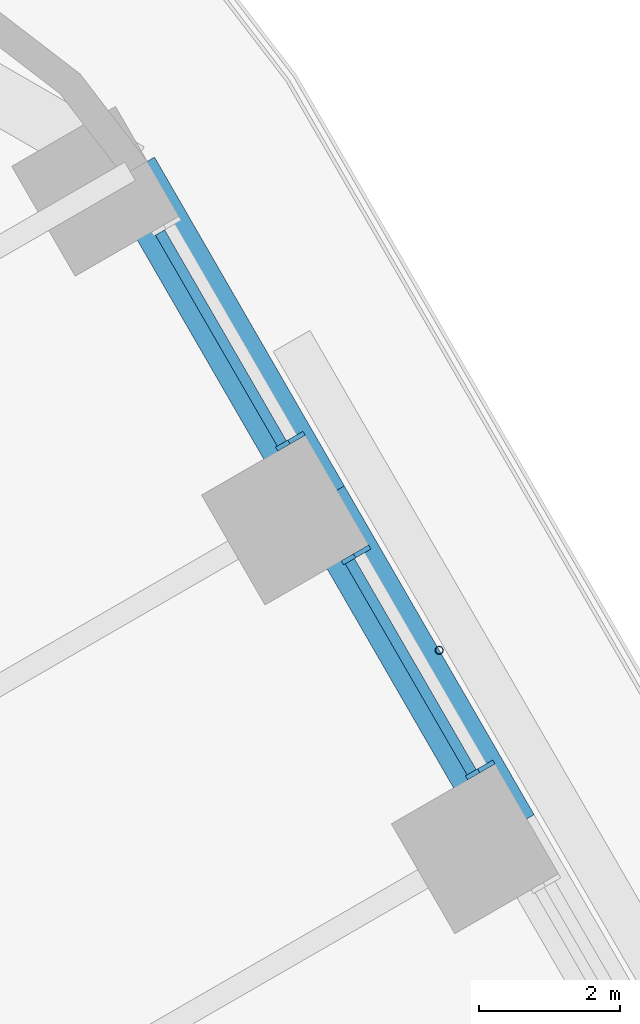
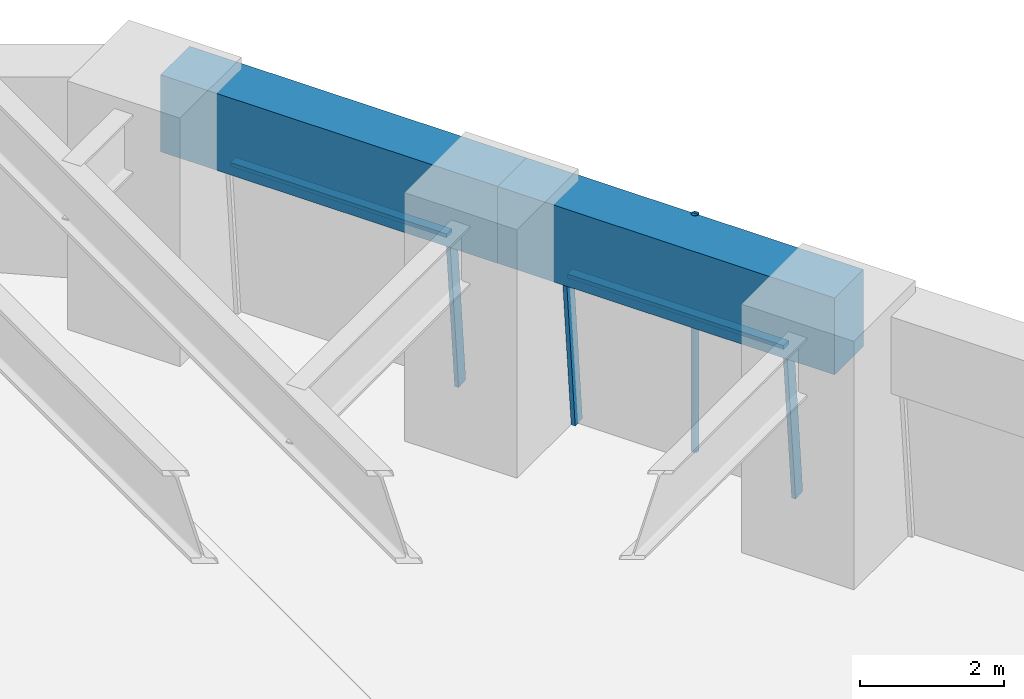
# One storey, part 11 of 24: 6 members, 2 beams, 2 elements without a shape of their own.
"""IFC4 building model written with IfcOpenShell, lengths in metres."""

from ifc_helpers import new_model, si_unit, direction, frame, origin, origin_2d, place, context, subcontext, project, spatial, rectangle, hollow_circle, extrude, material, material_profile, profile_set, type_object, element, aggregate, save


model = new_model("IFC4")

# Units and contexts
model_context = context("Model", 3, precision=1e-05, world=origin(), true_north=direction((0.0, 1.0)))
body_context = subcontext(model_context, "Body", "Model", "MODEL_VIEW")
ifc_project = project(units=[si_unit("LENGTHUNIT", "METRE"), si_unit("AREAUNIT", "SQUARE_METRE"), si_unit("VOLUMEUNIT", "CUBIC_METRE"), si_unit("PLANEANGLEUNIT", "RADIAN"), si_unit("MASSUNIT", "GRAM", prefix="KILO")], contexts=[model_context])

# Site, building, storey
site_placement = place(None, origin())
site = spatial("IfcSite", under=ifc_project, at=site_placement, CompositionType="ELEMENT")
building_placement = place(site_placement, origin())
building = spatial("IfcBuilding", under=site, at=building_placement, Name="Tarfa Lantern Tower", CompositionType="ELEMENT")
storey_placement = place(building_placement, frame((0.0, 0.0, 94.89990234375)))
storey = spatial("IfcBuildingStorey", under=building, at=storey_placement, Name="L21", CompositionType="ELEMENT", Elevation=94.89990234375)

# Curtain wall, members
ifc_material_1 = material(Name="Aluminium framed curtain wall", Category="aluminium")
curtain_wall_type = type_object("IfcCurtainWallType", Name="CW1 CANTED GLAZING LOW ZONE 2700", PredefinedType="USERDEFINED", material=ifc_material_1)
curtain_wall_1_placement = place(storey_placement, origin())
curtain_wall_1 = element("IfcCurtainWall", 1, at=curtain_wall_1_placement, inside=storey, type_object=curtain_wall_type, Name="CW1 NE L21", ObjectType="CURTAIN WALL", PredefinedType="USERDEFINED")
ifc_material_2 = material(Name="Aluminium mullion", Category="aluminium")
ifc_material_profile_1 = material_profile(ifc_material_2, rectangle(XDim=0.06494140625, YDim=0.199951171875, at=origin_2d()), Name="AL MULLION 65x200")
ifc_profile_set_1 = profile_set([ifc_material_profile_1], Name="Aluminium mullion")
member_type_1 = type_object("IfcMemberType", Name="CWM1 MULLION 65x200", PredefinedType="MULLION", material=ifc_profile_set_1)
member_1_placement = place(storey_placement, frame((26.19775390625, 22.42431640625, 0.0), z_axis=(-0.079857261722, -0.046095736191, 0.995739926314), x_axis=(0.499919672301, -0.866071776036, 0.0)))
member_1 = element("IfcMember", 2, at=member_1_placement, type_object=member_type_1, Name="CW1 mullion 1", PredefinedType="MULLION", context=body_context, shape_type="SweptSolid", body=[
    extrude(rectangle(XDim=0.06494140625, YDim=0.199951171875, at=origin_2d()), origin(), (0.0, 0.0, 1.0), 2.711669921875),
])
member_2_placement = place(storey_placement, frame((24.435791015625, 25.475830078125, 0.0), z_axis=(-0.079767804165, -0.046096067418, 0.995747081335), x_axis=(0.500342721131, -0.865827443207, 0.0)))
member_2 = element("IfcMember", 3, at=member_2_placement, type_object=member_type_1, Name="CW1 mullion 2", PredefinedType="MULLION", context=body_context, shape_type="SweptSolid", body=[
    extrude(rectangle(XDim=0.06494140625, YDim=0.199951171875, at=origin_2d()), origin(), (0.0, 0.0, 1.0), 2.711669921875),
])

# Curtain wall, member
curtain_wall_2_placement = place(storey_placement, origin())
curtain_wall_2 = element("IfcCurtainWall", 4, at=curtain_wall_2_placement, inside=storey, type_object=curtain_wall_type, Name="CW1 NE L21", ObjectType="CURTAIN WALL", PredefinedType="USERDEFINED")
member_3_placement = place(storey_placement, frame((23.50341796875, 27.0908203125, 0.0), z_axis=(-0.079857261722, -0.046095736191, 0.995739926314), x_axis=(0.499919672301, -0.866071776036, 0.0)))
member_3 = element("IfcMember", 5, at=member_3_placement, type_object=member_type_1, Name="CW1 mullion 1", PredefinedType="MULLION", context=body_context, shape_type="SweptSolid", body=[
    extrude(rectangle(XDim=0.06494140625, YDim=0.199951171875, at=origin_2d()), origin(), (0.0, 0.0, 1.0), 2.711669921875),
])

# Member
ifc_material_3 = material(Name="Aluminium transom", Category="aluminium")
ifc_material_profile_2 = material_profile(ifc_material_3, rectangle(XDim=0.14990234375, YDim=0.06494140625, at=origin_2d()), Name="AL TRANSOM 150x65")
ifc_profile_set_2 = profile_set([ifc_material_profile_2], Name="Aluminium transom")
member_type_2 = type_object("IfcMemberType", Name="CWT1 TRANSOM 150x65", PredefinedType="USERDEFINED", material=ifc_profile_set_2)
member_4_placement = place(storey_placement, frame((25.967529296875, 22.328857421875, 2.66748046875), z_axis=(-0.49997297598, 0.866041005548, 0.0), x_axis=(-0.866041005548, -0.49997297598, 0.0)))
member_4 = element("IfcMember", 6, at=member_4_placement, type_object=member_type_2, Name="CW1 transom 1.2", ObjectType="TRANSOM", PredefinedType="USERDEFINED", context=body_context, shape_type="SweptSolid", body=[
    extrude(rectangle(XDim=0.14990234375, YDim=0.06494140625, at=origin_2d()), origin(), (0.0, 0.0, 1.0), 3.458740234375),
])

aggregate(curtain_wall_1, [member_1, member_2, member_4])

member_5_placement = place(storey_placement, frame((23.273193359375, 26.99560546875, 2.66748046875), z_axis=(-0.500003541824, 0.866023358902, 0.0), x_axis=(-0.866023358902, -0.500003541824, 0.0)))
member_5 = element("IfcMember", 7, at=member_5_placement, type_object=member_type_2, Name="CW1 transom 1.2", ObjectType="TRANSOM", PredefinedType="USERDEFINED", context=body_context, shape_type="SweptSolid", body=[
    extrude(rectangle(XDim=0.14990234375, YDim=0.06494140625, at=origin_2d()), origin(), (0.0, 0.0, 1.0), 3.45849609375),
])

aggregate(curtain_wall_2, [member_3, member_5])

# Beams
ifc_material_4 = material(Name="Concrete C80/95", Category="concrete")
ifc_material_profile_3 = material_profile(ifc_material_4, rectangle(XDim=0.800048828125, YDim=1.300048828125, at=origin_2d()), Name="RC 800x1300")
ifc_profile_set_3 = profile_set([ifc_material_profile_3], Name="Concrete C80/95")
beam_type = type_object("IfcBeamType", Name="EB1 RC 800x1300", PredefinedType="SPANDREL", material=ifc_profile_set_3)
for number, where, z_axis, x_axis, name in (
    (8, (26.508056640625, 21.526611328125, 3.35009765625), (-0.499998287579, 0.866026392449, 0.0), (-0.866026392449, -0.499998287579, 0.0), "Edge beam NE4"),
    (9, (23.813720703125, 26.193359375, 3.35009765625), (-0.499998287579, 0.866026392449, 0.0), (-0.866026392449, -0.499998287579, 0.0), "Edge beam NE5"),
):
    element("IfcBeam", number, at=place(storey_placement, frame(where, z_axis=z_axis, x_axis=x_axis)), inside=storey, type_object=beam_type, Name=name, PredefinedType="SPANDREL", context=body_context, shape_type="SweptSolid", body=[
        extrude(rectangle(XDim=0.800048828125, YDim=1.300048828125, at=origin_2d()), origin(), (0.0, 0.0, 1.0), 5.388671875),
    ])

# Member
ifc_material_5 = material(Name="Steel S355", Category="steel")
ifc_material_profile_4 = material_profile(ifc_material_5, hollow_circle(Radius=0.05712890625, WallThickness=0.00634765625, at=origin_2d()), Name="CHS114.3x6.3")
ifc_profile_set_4 = profile_set([ifc_material_profile_4], Name="Steel S355")
member_type_3 = type_object("IfcMemberType", Name="TR1 GREEN WALL TRELLIS CHS114.3x6.3", PredefinedType="USERDEFINED", material=ifc_profile_set_4)
member_6_placement = place(storey_placement, frame((25.50732421875, 24.06005859375, 0.0), z_axis=(0.0, 0.0, 1.0), x_axis=(1.0, 0.0, 0.0)))
element("IfcMember", 10, at=member_6_placement, inside=storey, type_object=member_type_3, Name="Trellis post NE 2", ObjectType="TRELLIS", PredefinedType="USERDEFINED", context=body_context, shape_type="SweptSolid", body=[
    extrude(hollow_circle(Radius=0.05712890625, WallThickness=0.00634765625, at=origin_2d()), origin(), (0.0, 0.0, 1.0), 4.0),
])

save(model, "model.ifc")
